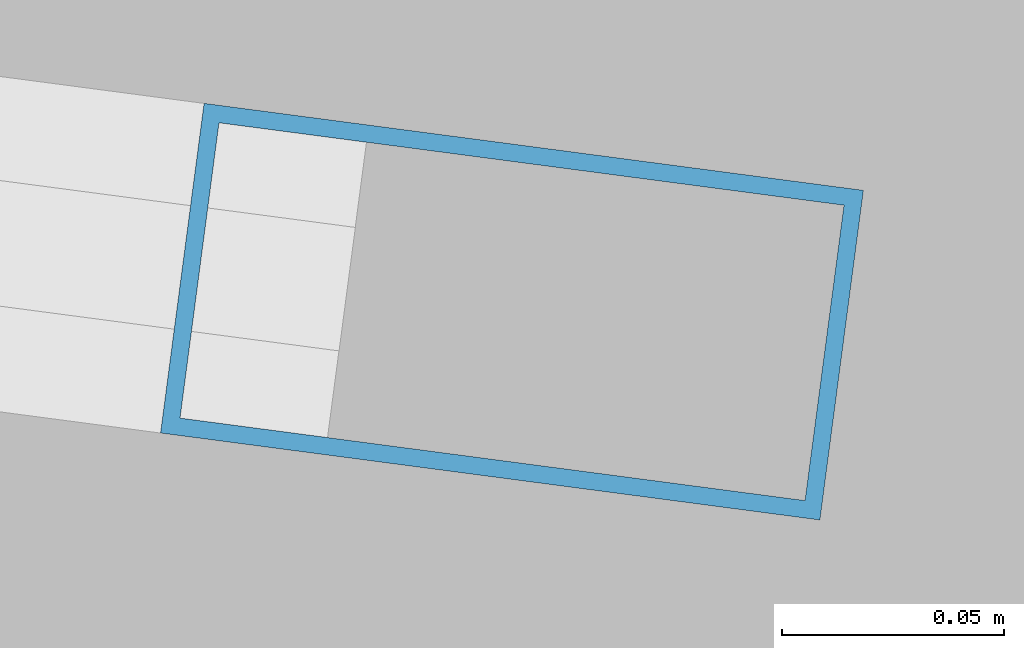
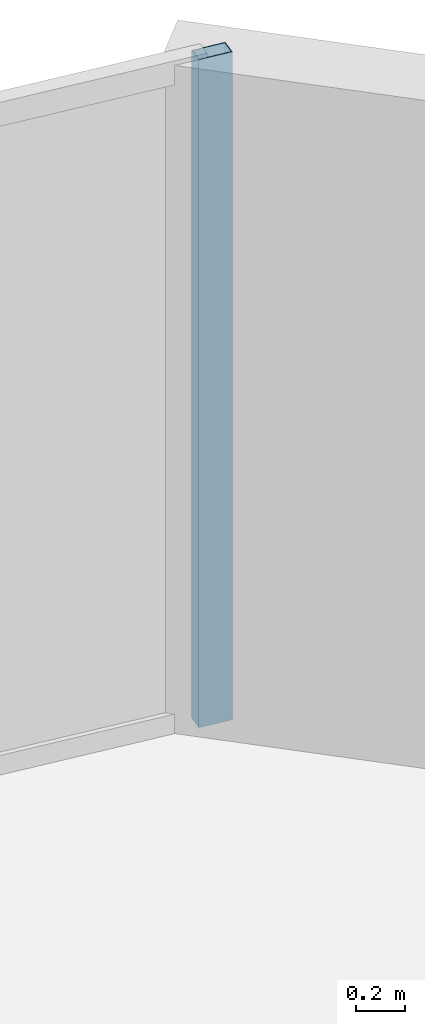
# One storey, part 22 of 31: 1 member, 1 element without a shape of its own.
"""IFC4 building model written with IfcOpenShell, lengths in metres."""

import ifcopenshell
import ifcopenshell.guid

model = None  # the IFC model being written
_history = None  # IfcOwnerHistory: only IFC2X3 demands one
_inside = {}  # id of a spatial element -> (the spatial element, [elements in it])
_under = {}  # id of a project, library or spatial element -> (it, [spatial elements below it])
_declared = {}  # id of a project -> (the project, [libraries it declares])
_typed = {}  # id of a type object -> (the type object, [elements of that type])
_made_of = {}  # id of a material, layer set ... -> (it, [elements and type objects made of it])


def new_model(schema):
    """Start an empty IFC model of exactly this schema.

    Asked for "IFC4X3", IfcOpenShell would pick the latest addendum, in which some entities
    have other attributes; the version numbers below select the first issue.
    IFC2X3 requires an IfcOwnerHistory on every rooted entity: one is made here for all.
    """
    global model, _history
    if schema == "IFC4X3":
        model = ifcopenshell.file(schema_version=(4, 3, 0, 0))
    else:
        model = ifcopenshell.file(schema=schema)
    _inside.clear()
    _under.clear()
    _declared.clear()
    _typed.clear()
    _made_of.clear()
    _history = None
    if model.schema == "IFC2X3":
        org = make("IfcOrganization", Name="unknown")
        user = make(
            "IfcPersonAndOrganization",
            ThePerson=make("IfcPerson", FamilyName="unknown"),
            TheOrganization=org,
        )
        app = make(
            "IfcApplication",
            ApplicationDeveloper=org,
            Version="unknown",
            ApplicationFullName="unknown",
            ApplicationIdentifier="unknown",
        )
        _history = make(
            "IfcOwnerHistory",
            OwningUser=user,
            OwningApplication=app,
            ChangeAction="ADDED",
            CreationDate=0,
        )
    return model


def make(cls, **values):
    """One entity of the class cls with the attributes given. An attribute that is None is left unset."""
    return model.create_entity(
        cls, **{name: value for name, value in values.items() if value is not None}
    )


def rooted(cls, **values):
    """An entity with a GlobalId (a new one), such as an element, a storey or a relation."""
    return make(cls, GlobalId=ifcopenshell.guid.new(), OwnerHistory=_history, **values)


def si_unit(unit_type, name, prefix=None):
    """IfcSIUnit, for example si_unit("LENGTHUNIT", "METRE", prefix="MILLI")."""
    return make("IfcSIUnit", UnitType=unit_type, Prefix=prefix, Name=name)


def assignment(units):
    """IfcUnitAssignment: the units of a project."""
    return None if units is None else make("IfcUnitAssignment", Units=units)


def point(xyz):
    """IfcCartesianPoint."""
    return None if xyz is None else make("IfcCartesianPoint", Coordinates=xyz)


def direction(xyz):
    """IfcDirection."""
    return None if xyz is None else make("IfcDirection", DirectionRatios=xyz)


def frame(location, z_axis=None, x_axis=None):
    """IfcAxis2Placement3D, a coordinate frame: its origin and axes. An axis left out is left unset."""
    return make(
        "IfcAxis2Placement3D",
        Location=point(location),
        Axis=direction(z_axis),
        RefDirection=direction(x_axis),
    )


def frame_2d(location, x_axis=None):
    """IfcAxis2Placement2D, a coordinate frame in the plane: its origin and x axis."""
    return make(
        "IfcAxis2Placement2D", Location=point(location), RefDirection=direction(x_axis)
    )


def origin():
    """The frame at (0, 0, 0) with its axes left unset."""
    return frame((0.0, 0.0, 0.0))


def origin_2d():
    """The frame at (0, 0) in the plane with its x axis left unset."""
    return frame_2d((0.0, 0.0))


def place(relative_to, where):
    """IfcLocalPlacement: puts the frame where relative to a parent placement (None: the world)."""
    return make(
        "IfcLocalPlacement", PlacementRelTo=relative_to, RelativePlacement=where
    )


def context(
    kind, dimensions, precision=None, world=None, true_north=None, identifier=None
):
    """IfcGeometricRepresentationContext, for example the 3D "Model" context."""
    return make(
        "IfcGeometricRepresentationContext",
        ContextIdentifier=identifier,
        ContextType=kind,
        CoordinateSpaceDimension=dimensions,
        Precision=precision,
        WorldCoordinateSystem=world,
        TrueNorth=true_north,
    )


def subcontext(parent, identifier, kind, view, scale=None):
    """IfcGeometricRepresentationSubContext, for example "Body" below "Model"."""
    return make(
        "IfcGeometricRepresentationSubContext",
        ContextIdentifier=identifier,
        ContextType=kind,
        ParentContext=parent,
        TargetScale=scale,
        TargetView=view,
    )


def project(units=None, contexts=None):
    """IfcProject with its units and contexts."""
    return rooted(
        "IfcProject",
        Name="project",
        RepresentationContexts=contexts,
        UnitsInContext=assignment(units),
    )


def spatial(cls, under=None, at=None, **own):
    """A site, building, storey or space (cls), placed at a placement, below another one or the project."""
    s = rooted(cls, ObjectPlacement=at, **own)
    if under is not None:
        _under.setdefault(under.id(), (under, []))[1].append(s)
    return s


def profile(cls, at=None, kind="AREA", **sizes):
    """A parametric profile (cls). Its sizes go by their IFC names, for example OverallWidth=200.0."""
    return make(cls, ProfileType=kind, Position=at, **sizes)


def hollow_rectangle(**sizes):
    """IfcRectangleHollowProfileDef."""
    return profile("IfcRectangleHollowProfileDef", **sizes)


def extrude(swept, where, along, depth):
    """IfcExtrudedAreaSolid: the profile swept, set in the frame where, extruded along a direction by depth."""
    return make(
        "IfcExtrudedAreaSolid",
        SweptArea=swept,
        Position=where,
        ExtrudedDirection=direction(along),
        Depth=depth,
    )


def shape(context_of_items, identifier, shape_type, items):
    """IfcShapeRepresentation: the items that make up one representation, for example the "Body"."""
    return make(
        "IfcShapeRepresentation",
        ContextOfItems=context_of_items,
        RepresentationIdentifier=identifier,
        RepresentationType=shape_type,
        Items=items,
    )


def material(Name=None, Category=None):
    """IfcMaterial."""
    return make("IfcMaterial", Name=Name, Category=Category)


def layer(
    of_material, thickness, ventilated=None, Name=None, Category=None, Priority=None
):
    """IfcMaterialLayer: one layer of a wall or slab, of a material (None: an air gap)."""
    return make(
        "IfcMaterialLayer",
        Material=of_material,
        LayerThickness=thickness,
        IsVentilated=ventilated,
        Name=Name,
        Category=Category,
        Priority=Priority,
    )


def layer_set(layers, Name=None):
    """IfcMaterialLayerSet."""
    return make("IfcMaterialLayerSet", MaterialLayers=layers, LayerSetName=Name)


def material_profile(
    of_material, cross_section, Name=None, Category=None, Priority=None
):
    """IfcMaterialProfile: a cross section and its material."""
    return make(
        "IfcMaterialProfile",
        Name=Name,
        Material=of_material,
        Profile=cross_section,
        Priority=Priority,
        Category=Category,
    )


def profile_set(profiles, Name=None, composite=None):
    """IfcMaterialProfileSet."""
    return make(
        "IfcMaterialProfileSet",
        Name=Name,
        MaterialProfiles=profiles,
        CompositeProfile=composite,
    )


def made_of(thing, what):
    """Note that an element or type object is made of a material, layer set ...; save() writes the relation."""
    if what is not None:
        _made_of.setdefault(what.id(), (what, []))[1].append(thing)
    return thing


def type_object(cls, material=None, **own):
    """A type object (cls), such as IfcWallType, which elements share."""
    return made_of(rooted(cls, **own), material)


def element(
    cls,
    number,
    at=None,
    inside=None,
    cuts=None,
    type_object=None,
    material=None,
    context=None,
    identifier="Body",
    shape_type=None,
    held_by="IfcProductDefinitionShape",
    body=None,
    shapes=None,
    **own,
):
    """One element of the class cls, such as IfcWall. Its Tag is "e" and its number.

    at: its placement. inside: the storey or other place that contains it. cuts: it is an
    opening in that element (IfcRelVoidsElement). A single representation is given by context,
    identifier, shape_type and body (its items); several are given by shapes. held_by: the class
    of the entity that holds the representations. save() writes the other relations.
    """
    e = rooted(cls, Tag="e%d" % number, ObjectPlacement=at, **own)
    if body is not None:
        shapes = [shape(context, identifier, shape_type, body)]
    if shapes is not None:
        e.Representation = make(held_by, Representations=shapes)
    if inside is not None:
        _inside.setdefault(inside.id(), (inside, []))[1].append(e)
    if cuts is not None:
        rooted(
            "IfcRelVoidsElement", RelatingBuildingElement=cuts, RelatedOpeningElement=e
        )
    if type_object is not None:
        _typed.setdefault(type_object.id(), (type_object, []))[1].append(e)
    return made_of(e, material)


def aggregate(whole, parts):
    """IfcRelAggregates: a whole, such as a stair, and the parts it consists of."""
    return rooted("IfcRelAggregates", RelatingObject=whole, RelatedObjects=parts)


def save(model, path):
    """Write the relations noted so far, then the file.

    IfcRelAggregates (storeys below a building ...), IfcRelContainedInSpatialStructure (elements
    in a storey), IfcRelDefinesByType, IfcRelAssociatesMaterial and IfcRelDeclares: one each for
    every whole, place, type object, material and project.
    """
    for whole, parts in _under.values():
        aggregate(whole, parts)
    for where, things in _inside.values():
        rooted(
            "IfcRelContainedInSpatialStructure",
            RelatedElements=things,
            RelatingStructure=where,
        )
    for kind, things in _typed.values():
        rooted("IfcRelDefinesByType", RelatedObjects=things, RelatingType=kind)
    for what, things in _made_of.values():
        rooted("IfcRelAssociatesMaterial", RelatedObjects=things, RelatingMaterial=what)
    for by, libraries in _declared.values():
        rooted("IfcRelDeclares", RelatingContext=by, RelatedDefinitions=libraries)
    model.write(path)


model = new_model("IFC4")

# Units and contexts
model_context = context("Model", 3, precision=1e-05, world=origin(), true_north=direction((0.0, 1.0)))
body_context = subcontext(model_context, "Body", "Model", "MODEL_VIEW")
ifc_project = project(units=[si_unit("LENGTHUNIT", "METRE"), si_unit("AREAUNIT", "SQUARE_METRE"), si_unit("VOLUMEUNIT", "CUBIC_METRE"), si_unit("PLANEANGLEUNIT", "RADIAN"), si_unit("MASSUNIT", "GRAM", prefix="KILO")], contexts=[model_context])

# Site, building, storey
site_placement = place(None, origin())
site = spatial("IfcSite", under=ifc_project, at=site_placement, CompositionType="ELEMENT")
building_placement = place(site_placement, origin())
building = spatial("IfcBuilding", under=site, at=building_placement, Name="Kazevale Care Tower and Concert Hall", CompositionType="ELEMENT")
storey_placement = place(building_placement, frame((0.0, 0.0, 124.199951171875)))
storey = spatial("IfcBuildingStorey", under=building, at=storey_placement, Name="L32", CompositionType="ELEMENT", Elevation=124.199951171875)

# Curtain wall, member
ifc_material_1 = material(Name="Aluminium 6063-T6 and Low-E Glass", Category="aluminium")
ifc_layer = layer(ifc_material_1, 0.179931640625)
ifc_layer_set = layer_set([ifc_layer], Name="Aluminium 6063-T6 and Low-E Glass")
curtain_wall_type = type_object("IfcCurtainWallType", Name="Convex Recessed Sunroom Curtain Wall CW-3", PredefinedType="NOTDEFINED", material=ifc_layer_set)
curtain_wall_placement = place(storey_placement, origin())
curtain_wall = element("IfcCurtainWall", 1, at=curtain_wall_placement, inside=storey, type_object=curtain_wall_type, Name="cw:L32:f16", PredefinedType="NOTDEFINED")
ifc_material_2 = material(Name="Aluminium 6063-T6", Category="aluminium")
ifc_material_profile = material_profile(ifc_material_2, hollow_rectangle(XDim=0.074951171875, YDim=0.14990234375, WallThickness=0.00390625, at=origin_2d()), Name="ALU75x150x4")
ifc_profile_set = profile_set([ifc_material_profile], Name="Aluminium 6063-T6")
member_type = type_object("IfcMemberType", Name="CW-3 Mullion ALU75x150x4", PredefinedType="MULLION", material=ifc_profile_set)
member_placement = place(storey_placement, frame((61.810791015625, 60.809814453125, 0.0), z_axis=(0.0, 0.0, 1.0), x_axis=(0.130822374277, 0.991405823257, 0.0)))
member = element("IfcMember", 2, at=member_placement, type_object=member_type, Name="CW-3 mullion 2", PredefinedType="MULLION", context=body_context, shape_type="SweptSolid", body=[
    extrude(hollow_rectangle(XDim=0.074951171875, YDim=0.14990234375, WallThickness=0.00390625, at=origin_2d()), origin(), (0.0, 0.0, 1.0), 3.360107421875),
])
aggregate(curtain_wall, [member])

save(model, "model.ifc")
